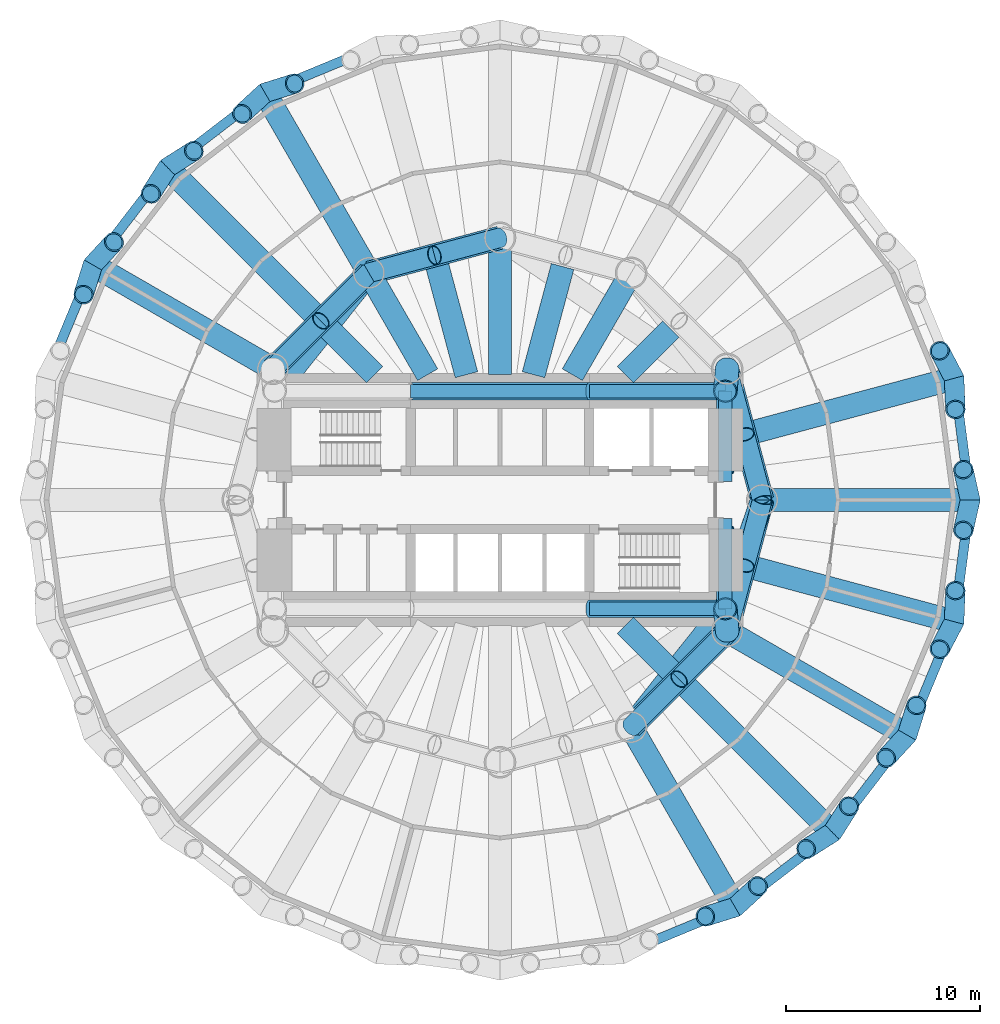
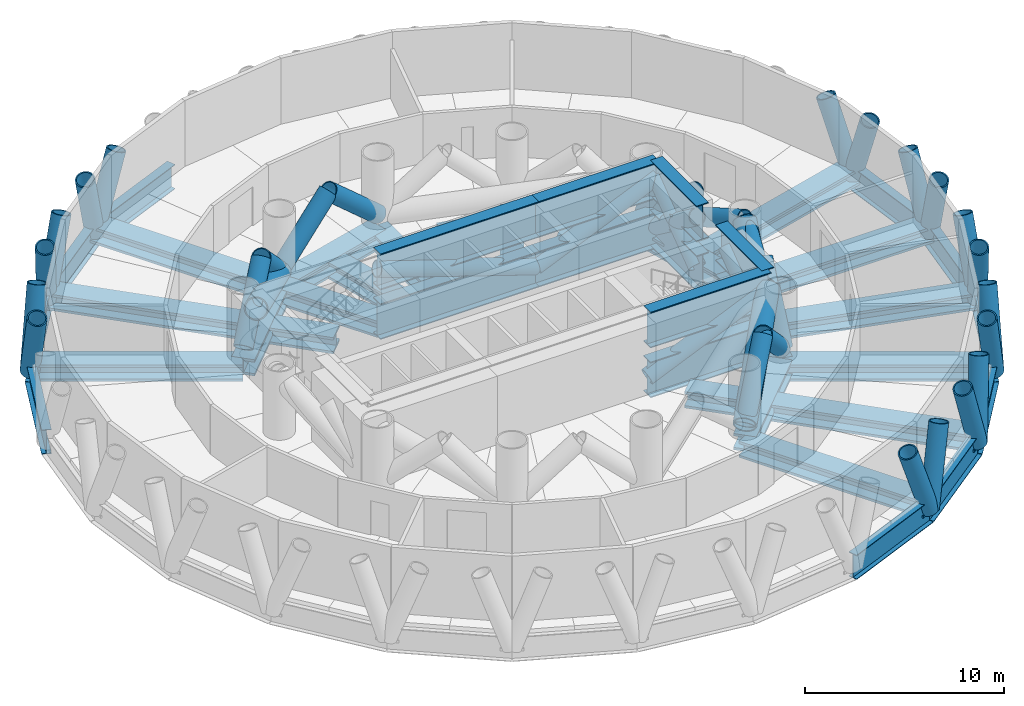
# One storey, part 2 of 6: 42 beams, 40 members.
"""IFC4 building model written with IfcOpenShell, lengths in metres."""

from ifc_helpers import new_model, si_unit, direction, frame, origin, origin_2d, place, context, subcontext, project, spatial, hollow_circle, i_section, extrude, material, material_profile, profile_set, type_object, element, save


model = new_model("IFC4")

# Units and contexts
model_context = context("Model", 3, precision=1e-05, world=origin(), true_north=direction((0.0, 1.0)))
body_context = subcontext(model_context, "Body", "Model", "MODEL_VIEW")
ifc_project = project(units=[si_unit("LENGTHUNIT", "METRE"), si_unit("AREAUNIT", "SQUARE_METRE"), si_unit("VOLUMEUNIT", "CUBIC_METRE"), si_unit("PLANEANGLEUNIT", "RADIAN"), si_unit("MASSUNIT", "GRAM", prefix="KILO")], contexts=[model_context])

# Site, building, storey
site_placement = place(None, origin())
site = spatial("IfcSite", under=ifc_project, at=site_placement, CompositionType="ELEMENT")
building_placement = place(site_placement, origin())
building = spatial("IfcBuilding", under=site, at=building_placement, Name="Qaws Media Tower", CompositionType="ELEMENT")
storey_placement = place(building_placement, frame((0.0, 0.0, 194.0)))
storey = spatial("IfcBuildingStorey", under=building, at=storey_placement, Name="L44", CompositionType="ELEMENT", Elevation=194.0)

# Members
ifc_material_1 = material(Name="Steel S355", Category="steel")
ifc_material_profile_1 = material_profile(ifc_material_1, hollow_circle(Radius=0.508056640625, WallThickness=0.050048828125, at=origin_2d()), Name="CHS 1016x50")
ifc_profile_set_1 = profile_set([ifc_material_profile_1], Name="Steel S355")
member_type_1 = type_object("IfcMemberType", Name="Belt truss diagonal CHS 1016x50", PredefinedType="BRACE", material=ifc_profile_set_1)
member_1_placement = place(storey_placement, frame((71.69140625, 56.75, 0.39990234375), z_axis=(0.236071893231, -0.881063134997, 0.409875363221), x_axis=(0.965928090778, 0.258810593767, 0.0)))
element("IfcMember", 1, at=member_1_placement, inside=storey, type_object=member_type_1, Name="BT1 belt diagonal L44 I02 to the head over I01", PredefinedType="BRACE", context=body_context, shape_type="SweptSolid", body=[
    extrude(hollow_circle(Radius=0.508056640625, WallThickness=0.050048828125, at=origin_2d()), origin(), (0.0, 0.0, 1.0), 7.6611328125),
])
for number, where, z_axis, x_axis, name in (
    (2, (71.69140625, 56.75, 0.39990234375), (0.192495823814, -0.718429338123, 0.668434472434), (0.965928090778, 0.258810593767, 0.0), "BT1 belt diagonal L44 I02 to bay I01-I02 apex"),
    (3, (60.0, 63.5, 0.39990234375), (-0.718429338123, -0.192495823814, 0.668434472434), (0.258810593767, -0.965928090778, 0.0), "BT1 belt diagonal L44 I04 to bay I04-I05 apex"),
    (4, (53.25, 61.69140625, 0.39990234375), (0.718429338123, 0.192495823814, 0.668434472434), (-0.258810593767, 0.965928090778, 0.0), "BT1 belt diagonal L44 I05 to bay I04-I05 apex"),
    (5, (53.25, 61.69140625, 0.39990234375), (-0.525929105231, -0.525929105231, 0.668428868723), (0.707106781187, -0.707106781187, 0.0), "BT1 belt diagonal L44 I05 to bay I05-I06 apex"),
    (6, (48.30859375, 56.75, 0.39990234375), (0.525929105231, 0.525929105231, 0.668428868723), (-0.707106781187, 0.707106781187, 0.0), "BT1 belt diagonal L44 I06 to bay I05-I06 apex"),
    (7, (66.75, 38.30859375, 0.39990234375), (0.525929105231, 0.525929105231, 0.668428868723), (-0.707106781187, 0.707106781187, 0.0), "BT1 belt diagonal L44 I11 to bay I11-I12 apex"),
    (8, (71.69140625, 43.25, 0.39990234375), (-0.525929105231, -0.525929105231, 0.668428868723), (0.707106781187, -0.707106781187, 0.0), "BT1 belt diagonal L44 I12 to bay I11-I12 apex"),
    (9, (71.69140625, 43.25, 0.39990234375), (0.192495823814, 0.718429338123, 0.668434472434), (-0.965928090778, 0.258810593767, 0.0), "BT1 belt diagonal L44 I12 to bay I12-I01 apex"),
):
    element("IfcMember", number, at=place(storey_placement, frame(where, z_axis=z_axis, x_axis=x_axis)), inside=storey, type_object=member_type_1, Name=name, PredefinedType="BRACE", context=body_context, shape_type="SweptSolid", body=[
        extrude(hollow_circle(Radius=0.508056640625, WallThickness=0.050048828125, at=origin_2d()), origin(), (0.0, 0.0, 1.0), 4.69775390625),
    ])
member_2_placement = place(storey_placement, frame((71.69140625, 43.25, 0.39990234375), z_axis=(0.236071893231, 0.881063134997, 0.409875363221), x_axis=(-0.965928090778, 0.258810593767, 0.0)))
element("IfcMember", 10, at=member_2_placement, inside=storey, type_object=member_type_1, Name="BT1 belt diagonal L44 I12 to the head over I01", PredefinedType="BRACE", context=body_context, shape_type="SweptSolid", body=[
    extrude(hollow_circle(Radius=0.508056640625, WallThickness=0.050048828125, at=origin_2d()), origin(), (0.0, 0.0, 1.0), 7.6611328125),
])

# Beams
ifc_material_2 = material(Name="Steel S460", Category="steel")
ifc_material_profile_2 = material_profile(ifc_material_2, i_section(OverallWidth=0.699951171875, OverallDepth=2.199951171875, WebThickness=0.028076171875, FlangeThickness=0.06005859375, at=origin_2d()), Name="PG 2200x700")
ifc_profile_set_2 = profile_set([ifc_material_profile_2], Name="Steel S460")
beam_type_1 = type_object("IfcBeamType", Name="Core outrigger truss chord PG 2200x700", PredefinedType="BEAM", material=ifc_profile_set_2)
for number, where, z_axis, x_axis, name in (
    (11, (55.39990234375, 55.60009765625, 0.39990234375), (1.0, 0.0, 0.0), (0.0, 1.0, 0.0), "CT1 core outrigger truss chord NB2 L44"),
    (12, (55.39990234375, 55.60009765625, 3.449951171875), (1.0, 0.0, 0.0), (0.0, 1.0, 0.0), "CT1 core outrigger truss chord NT2 L44"),
):
    element("IfcBeam", number, at=place(storey_placement, frame(where, z_axis=z_axis, x_axis=x_axis)), inside=storey, type_object=beam_type_1, Name=name, PredefinedType="BEAM", context=body_context, shape_type="SweptSolid", body=[
        extrude(i_section(OverallWidth=0.699951171875, OverallDepth=2.199951171875, WebThickness=0.028076171875, FlangeThickness=0.06005859375, at=origin_2d()), origin(), (0.0, 0.0, 1.0), 9.2001953125),
    ])
for number, where, z_axis, x_axis, name in (
    (13, (64.60009765625, 55.60009765625, 0.39990234375), (1.0, 0.0, 0.0), (0.0, 1.0, 0.0), "CT1 core outrigger truss chord NB3 L44"),
    (14, (64.60009765625, 55.60009765625, 3.449951171875), (1.0, 0.0, 0.0), (0.0, 1.0, 0.0), "CT1 core outrigger truss chord NT3 L44"),
    (15, (64.60009765625, 44.39990234375, 0.39990234375), (1.0, 0.0, 0.0), (0.0, 1.0, 0.0), "CT1 core outrigger truss chord SB3 L44"),
    (16, (64.60009765625, 44.39990234375, 3.449951171875), (1.0, 0.0, 0.0), (0.0, 1.0, 0.0), "CT1 core outrigger truss chord ST3 L44"),
):
    element("IfcBeam", number, at=place(storey_placement, frame(where, z_axis=z_axis, x_axis=x_axis)), inside=storey, type_object=beam_type_1, Name=name, PredefinedType="BEAM", context=body_context, shape_type="SweptSolid", body=[
        extrude(i_section(OverallWidth=0.699951171875, OverallDepth=2.199951171875, WebThickness=0.028076171875, FlangeThickness=0.06005859375, at=origin_2d()), origin(), (0.0, 0.0, 1.0), 7.0),
    ])
for number, where, z_axis, x_axis, name in (
    (17, (71.60009765625, 44.39990234375, 0.39990234375), (0.0, 1.0, 0.0), (-1.0, 0.0, 0.0), "CT1 core outrigger truss chord EB1 L44"),
    (18, (71.60009765625, 44.39990234375, 3.449951171875), (0.0, 1.0, 0.0), (-1.0, 0.0, 0.0), "CT1 core outrigger truss chord ET1 L44"),
    (19, (71.60009765625, 50.949951171875, 0.39990234375), (0.0, 1.0, 0.0), (-1.0, 0.0, 0.0), "CT1 core outrigger truss chord EB3 L44"),
    (20, (71.60009765625, 50.949951171875, 3.449951171875), (0.0, 1.0, 0.0), (-1.0, 0.0, 0.0), "CT1 core outrigger truss chord ET3 L44"),
):
    element("IfcBeam", number, at=place(storey_placement, frame(where, z_axis=z_axis, x_axis=x_axis)), inside=storey, type_object=beam_type_1, Name=name, PredefinedType="BEAM", context=body_context, shape_type="SweptSolid", body=[
        extrude(i_section(OverallWidth=0.699951171875, OverallDepth=2.199951171875, WebThickness=0.028076171875, FlangeThickness=0.06005859375, at=origin_2d()), origin(), (0.0, 0.0, 1.0), 4.650146484375),
    ])

# Members
ifc_material_3 = material(Name="Steel S460", Category="steel")
ifc_material_profile_3 = material_profile(ifc_material_3, hollow_circle(Radius=0.45703125, WallThickness=0.044921875, at=origin_2d()), Name="CHS 914x45")
ifc_profile_set_3 = profile_set([ifc_material_profile_3], Name="Steel S460")
member_type_2 = type_object("IfcMemberType", Name="Core outrigger truss diagonal CHS 914x45", PredefinedType="BRACE", material=ifc_profile_set_3)
member_3_placement = place(storey_placement, frame((64.60009765625, 55.60009765625, 0.39990234375), z_axis=(-0.949198394825, 0.0, 0.314678259913), x_axis=(0.0, -1.0, 0.0)))
element("IfcMember", 21, at=member_3_placement, inside=storey, type_object=member_type_2, Name="CT2 core outrigger truss diagonal N2 L44", PredefinedType="BRACE", context=body_context, shape_type="SweptSolid", body=[
    extrude(hollow_circle(Radius=0.45703125, WallThickness=0.044921875, at=origin_2d()), origin(), (0.0, 0.0, 1.0), 9.692626953125),
])
for number, where, z_axis, x_axis, name in (
    (22, (64.60009765625, 55.60009765625, 0.39990234375), (0.916755115174, 0.0, 0.399449694959), (0.0, 1.0, 0.0), "CT2 core outrigger truss diagonal N3 L44"),
    (23, (64.60009765625, 44.39990234375, 0.39990234375), (0.916755115174, 0.0, 0.399449694959), (0.0, 1.0, 0.0), "CT2 core outrigger truss diagonal S3 L44"),
):
    element("IfcMember", number, at=place(storey_placement, frame(where, z_axis=z_axis, x_axis=x_axis)), inside=storey, type_object=member_type_2, Name=name, PredefinedType="BRACE", context=body_context, shape_type="SweptSolid", body=[
        extrude(hollow_circle(Radius=0.45703125, WallThickness=0.044921875, at=origin_2d()), origin(), (0.0, 0.0, 1.0), 7.6357421875),
    ])
for number, where, z_axis, x_axis, name in (
    (24, (71.60009765625, 44.39990234375, 0.39990234375), (0.0, 0.802344423369, 0.596861312442), (-1.0, 0.0, 0.0), "CT2 core outrigger truss diagonal E1 L44"),
    (25, (71.60009765625, 48.5, 0.39990234375), (0.0, -0.802344423369, 0.596861312442), (1.0, 0.0, 0.0), "CT2 core outrigger truss diagonal E1b L44"),
    (26, (71.60009765625, 51.5, 0.39990234375), (0.0, 0.802344423369, 0.596861312442), (-1.0, 0.0, 0.0), "CT2 core outrigger truss diagonal E3 L44"),
    (27, (71.60009765625, 55.60009765625, 0.39990234375), (0.0, -0.802344423369, 0.596861312442), (1.0, 0.0, 0.0), "CT2 core outrigger truss diagonal E3b L44"),
):
    element("IfcMember", number, at=place(storey_placement, frame(where, z_axis=z_axis, x_axis=x_axis)), inside=storey, type_object=member_type_2, Name=name, PredefinedType="BRACE", context=body_context, shape_type="SweptSolid", body=[
        extrude(hollow_circle(Radius=0.45703125, WallThickness=0.044921875, at=origin_2d()), origin(), (0.0, 0.0, 1.0), 5.110107421875),
    ])
ifc_material_4 = material(Name="Steel S460", Category="steel")
ifc_material_profile_4 = material_profile(ifc_material_4, hollow_circle(Radius=0.508056640625, WallThickness=0.070068359375, at=origin_2d()), Name="CHS 1016x70")
ifc_profile_set_4 = profile_set([ifc_material_profile_4], Name="Steel S460")
member_type_3 = type_object("IfcMemberType", Name="Diagrid member CHS 1016x70", PredefinedType="USERDEFINED", material=ifc_profile_set_4)
for number, where, z_axis, x_axis, name in (
    (28, (84.199951171875, 50.0, -1.0), (-0.076662926383, 0.341357939939, 0.936801768017), (-0.975696974085, -0.219124199396, 0.0), "DG3 diagrid L44 A01"),
    (29, (84.199951171875, 50.0, -1.0), (-0.076662926383, -0.341357939939, 0.936801768017), (0.975696974085, -0.219124199396, 0.0), "DG3 diagrid L44 B01"),
    (30, (83.37548828125, 56.263427734375, -1.0), (-0.162442860207, 0.309851625704, 0.936805362504), (-0.885667434492, -0.464320143307, 0.0), "DG3 diagrid L44 A02"),
    (31, (83.37548828125, 56.263427734375, -1.0), (0.014234368667, -0.349568372086, 0.936802719886), (0.999171976829, 0.040686124419, 0.0), "DG3 diagrid L44 B02"),
    (32, (47.89990234375, 70.957763671875, -1.0), (-0.257234896643, -0.237082608367, 0.936814840168), (0.677716564176, -0.735323234124, 0.0), "DG3 diagrid L44 A09"),
    (33, (47.89990234375, 70.957763671875, -1.0), (0.333948789661, 0.104279028189, 0.936805257331), (-0.298066743437, 0.954545031131, 0.0), "DG3 diagrid L44 B09"),
    (34, (42.887939453125, 67.112060546875, -1.0), (-0.187125548091, -0.295615716286, 0.936800607139), (0.844945330191, -0.534852679706, 0.0), "DG3 diagrid L44 A10"),
    (35, (42.887939453125, 67.112060546875, -1.0), (0.295615716286, 0.187125548091, 0.936800607139), (-0.534852679706, 0.844945330191, 0.0), "DG3 diagrid L44 B10"),
    (36, (39.042236328125, 62.10009765625, -1.0), (-0.104279028189, -0.333948789661, 0.936805257331), (0.954545031131, -0.298066743437, 0.0), "DG3 diagrid L44 A11"),
    (37, (39.042236328125, 62.10009765625, -1.0), (0.237082608367, 0.257234896643, 0.936814840168), (-0.735323234124, 0.677716564176, 0.0), "DG3 diagrid L44 B11"),
    (38, (72.10009765625, 29.042236328125, -1.0), (0.257234896643, 0.237082608367, 0.936814840168), (-0.677716564176, 0.735323234124, 0.0), "DG3 diagrid L44 A21"),
    (39, (72.10009765625, 29.042236328125, -1.0), (-0.333948789661, -0.104279028189, 0.936805257331), (0.298066743437, -0.954545031131, 0.0), "DG3 diagrid L44 B21"),
    (40, (77.112060546875, 32.887939453125, -1.0), (0.187125548091, 0.295615716286, 0.936800607139), (-0.844945330191, 0.534852679706, 0.0), "DG3 diagrid L44 A22"),
    (41, (77.112060546875, 32.887939453125, -1.0), (-0.295615716286, -0.187125548091, 0.936800607139), (0.534852679706, -0.844945330191, 0.0), "DG3 diagrid L44 B22"),
    (42, (80.957763671875, 37.89990234375, -1.0), (0.104279028189, 0.333948789661, 0.936805257331), (-0.954545031131, 0.298066743437, 0.0), "DG3 diagrid L44 A23"),
    (43, (80.957763671875, 37.89990234375, -1.0), (-0.237082608367, -0.257234896643, 0.936814840168), (0.735323234124, -0.677716564176, 0.0), "DG3 diagrid L44 B23"),
    (44, (83.37548828125, 43.736572265625, -1.0), (0.014234368667, 0.349568372086, 0.936802719886), (-0.999171976829, 0.040686124419, 0.0), "DG3 diagrid L44 A24"),
    (45, (83.37548828125, 43.736572265625, -1.0), (-0.162442860207, -0.309851625704, 0.936805362504), (0.885667434492, -0.464320143307, 0.0), "DG3 diagrid L44 B24"),
):
    element("IfcMember", number, at=place(storey_placement, frame(where, z_axis=z_axis, x_axis=x_axis)), inside=storey, type_object=member_type_3, Name=name, ObjectType="DIAGRID", PredefinedType="USERDEFINED", context=body_context, shape_type="SweptSolid", body=[
        extrude(hollow_circle(Radius=0.508056640625, WallThickness=0.070068359375, at=origin_2d()), origin(), (0.0, 0.0, 1.0), 4.579345703125),
    ])

# Beams
ifc_material_5 = material(Name="Steel S460", Category="steel")
ifc_material_profile_5 = material_profile(ifc_material_5, i_section(OverallWidth=0.5, OverallDepth=1.5, WebThickness=0.02001953125, FlangeThickness=0.0400390625, at=origin_2d()), Name="PG 1500x500")
ifc_profile_set_5 = profile_set([ifc_material_profile_5], Name="Steel S460")
beam_type_2 = type_object("IfcBeamType", Name="Edge ring beam PG 1500x500", PredefinedType="BEAM", material=ifc_profile_set_5)
beam_1_placement = place(storey_placement, frame((84.199951171875, 50.0, -1.0), z_axis=(-0.130505495907, 0.991447585875, 0.0), x_axis=(-0.991447585875, -0.130505495907, 0.0)))
element("IfcBeam", 46, at=beam_1_placement, inside=storey, type_object=beam_type_2, Name="RB4 edge ring beam L44-01", PredefinedType="BEAM", context=body_context, shape_type="SweptSolid", body=[
    extrude(i_section(OverallWidth=0.5, OverallDepth=1.5, WebThickness=0.02001953125, FlangeThickness=0.0400390625, at=origin_2d()), origin(), (0.0, 0.0, 1.0), 6.3173828125),
])
beam_2_placement = place(storey_placement, frame((53.736572265625, 73.37548828125, -1.0), z_axis=(-0.923874116934, -0.382696506463, 0.0), x_axis=(0.382696506463, -0.923874116934, 0.0)))
element("IfcBeam", 47, at=beam_2_placement, inside=storey, type_object=beam_type_2, Name="RB4 edge ring beam L44-08", PredefinedType="BEAM", context=body_context, shape_type="SweptSolid", body=[
    extrude(i_section(OverallWidth=0.5, OverallDepth=1.5, WebThickness=0.02001953125, FlangeThickness=0.0400390625, at=origin_2d()), origin(), (0.0, 0.0, 1.0), 6.317626953125),
])
for number, where, z_axis, x_axis, name in (
    (48, (47.89990234375, 70.957763671875, -1.0), (-0.793361846321, -0.608750343575, 0.0), (0.608750343575, -0.793361846321, 0.0), "RB4 edge ring beam L44-09"),
    (49, (42.887939453125, 67.112060546875, -1.0), (-0.608750343575, -0.793361846321, 0.0), (0.793361846321, -0.608750343575, 0.0), "RB4 edge ring beam L44-10"),
):
    element("IfcBeam", number, at=place(storey_placement, frame(where, z_axis=z_axis, x_axis=x_axis)), inside=storey, type_object=beam_type_2, Name=name, PredefinedType="BEAM", context=body_context, shape_type="SweptSolid", body=[
        extrude(i_section(OverallWidth=0.5, OverallDepth=1.5, WebThickness=0.02001953125, FlangeThickness=0.0400390625, at=origin_2d()), origin(), (0.0, 0.0, 1.0), 6.3173828125),
    ])
for number, where, z_axis, x_axis, name in (
    (50, (39.042236328125, 62.10009765625, -1.0), (-0.382696506463, -0.923874116934, 0.0), (0.923874116934, -0.382696506463, 0.0), "RB4 edge ring beam L44-11"),
    (51, (66.263427734375, 26.62451171875, -1.0), (0.923874116934, 0.382696506463, 0.0), (-0.382696506463, 0.923874116934, 0.0), "RB4 edge ring beam L44-20"),
):
    element("IfcBeam", number, at=place(storey_placement, frame(where, z_axis=z_axis, x_axis=x_axis)), inside=storey, type_object=beam_type_2, Name=name, PredefinedType="BEAM", context=body_context, shape_type="SweptSolid", body=[
        extrude(i_section(OverallWidth=0.5, OverallDepth=1.5, WebThickness=0.02001953125, FlangeThickness=0.0400390625, at=origin_2d()), origin(), (0.0, 0.0, 1.0), 6.317626953125),
    ])
for number, where, z_axis, x_axis, name in (
    (52, (72.10009765625, 29.042236328125, -1.0), (0.793361846321, 0.608750343575, 0.0), (-0.608750343575, 0.793361846321, 0.0), "RB4 edge ring beam L44-21"),
    (53, (77.112060546875, 32.887939453125, -1.0), (0.608750343575, 0.793361846321, 0.0), (-0.793361846321, 0.608750343575, 0.0), "RB4 edge ring beam L44-22"),
):
    element("IfcBeam", number, at=place(storey_placement, frame(where, z_axis=z_axis, x_axis=x_axis)), inside=storey, type_object=beam_type_2, Name=name, PredefinedType="BEAM", context=body_context, shape_type="SweptSolid", body=[
        extrude(i_section(OverallWidth=0.5, OverallDepth=1.5, WebThickness=0.02001953125, FlangeThickness=0.0400390625, at=origin_2d()), origin(), (0.0, 0.0, 1.0), 6.3173828125),
    ])
beam_3_placement = place(storey_placement, frame((80.957763671875, 37.89990234375, -1.0), z_axis=(0.382696506463, 0.923874116934, 0.0), x_axis=(-0.923874116934, 0.382696506463, 0.0)))
element("IfcBeam", 54, at=beam_3_placement, inside=storey, type_object=beam_type_2, Name="RB4 edge ring beam L44-23", PredefinedType="BEAM", context=body_context, shape_type="SweptSolid", body=[
    extrude(i_section(OverallWidth=0.5, OverallDepth=1.5, WebThickness=0.02001953125, FlangeThickness=0.0400390625, at=origin_2d()), origin(), (0.0, 0.0, 1.0), 6.317626953125),
])
beam_4_placement = place(storey_placement, frame((83.37548828125, 43.736572265625, -1.0), z_axis=(0.130505495907, 0.991447585875, 0.0), x_axis=(-0.991447585875, 0.130505495907, 0.0)))
element("IfcBeam", 55, at=beam_4_placement, inside=storey, type_object=beam_type_2, Name="RB4 edge ring beam L44-24", PredefinedType="BEAM", context=body_context, shape_type="SweptSolid", body=[
    extrude(i_section(OverallWidth=0.5, OverallDepth=1.5, WebThickness=0.02001953125, FlangeThickness=0.0400390625, at=origin_2d()), origin(), (0.0, 0.0, 1.0), 6.3173828125),
])
ifc_material_6 = material(Name="Steel S460", Category="steel")
ifc_material_profile_6 = material_profile(ifc_material_6, i_section(OverallWidth=1.199951171875, OverallDepth=1.0, WebThickness=0.06005859375, FlangeThickness=0.14990234375, at=origin_2d()), Name="PG 1000x1200")
ifc_profile_set_6 = profile_set([ifc_material_profile_6], Name="Steel S460")
beam_type_3 = type_object("IfcBeamType", Name="Inner ring girder PG 1000x1200", PredefinedType="BEAM", material=ifc_profile_set_6)
for number, where, z_axis, x_axis, name in (
    (56, (73.5, 50.0, -0.75), (-0.258810593767, 0.965928090778, 0.0), (-0.965928090778, -0.258810593767, 0.0), "B3 inner ring beam L44 I01-I02"),
    (57, (60.0, 63.5, -0.75), (-0.965928090778, -0.258810593767, 0.0), (0.258810593767, -0.965928090778, 0.0), "B3 inner ring beam L44 I04-I05"),
):
    element("IfcBeam", number, at=place(storey_placement, frame(where, z_axis=z_axis, x_axis=x_axis)), inside=storey, type_object=beam_type_3, Name=name, PredefinedType="BEAM", context=body_context, shape_type="SweptSolid", body=[
        extrude(i_section(OverallWidth=1.199951171875, OverallDepth=1.0, WebThickness=0.06005859375, FlangeThickness=0.14990234375, at=origin_2d()), origin(), (0.0, 0.0, 1.0), 6.988037109375),
    ])
for number, where, z_axis, x_axis, name in (
    (58, (53.25, 61.69140625, -0.75), (-0.707106781187, -0.707106781187, 0.0), (0.707106781187, -0.707106781187, 0.0), "B3 inner ring beam L44 I05-I06"),
    (59, (66.75, 38.30859375, -0.75), (0.707106781187, 0.707106781187, 0.0), (-0.707106781187, 0.707106781187, 0.0), "B3 inner ring beam L44 I11-I12"),
):
    element("IfcBeam", number, at=place(storey_placement, frame(where, z_axis=z_axis, x_axis=x_axis)), inside=storey, type_object=beam_type_3, Name=name, PredefinedType="BEAM", context=body_context, shape_type="SweptSolid", body=[
        extrude(i_section(OverallWidth=1.199951171875, OverallDepth=1.0, WebThickness=0.06005859375, FlangeThickness=0.14990234375, at=origin_2d()), origin(), (0.0, 0.0, 1.0), 6.98828125),
    ])
beam_5_placement = place(storey_placement, frame((71.69140625, 43.25, -0.75), z_axis=(0.258810593767, 0.965928090778, 0.0), x_axis=(-0.965928090778, 0.258810593767, 0.0)))
element("IfcBeam", 60, at=beam_5_placement, inside=storey, type_object=beam_type_3, Name="B3 inner ring beam L44 I12-I01", PredefinedType="BEAM", context=body_context, shape_type="SweptSolid", body=[
    extrude(i_section(OverallWidth=1.199951171875, OverallDepth=1.0, WebThickness=0.06005859375, FlangeThickness=0.14990234375, at=origin_2d()), origin(), (0.0, 0.0, 1.0), 6.988037109375),
])

# Members
ifc_material_7 = material(Name="Steel S355", Category="steel")
ifc_material_profile_7 = material_profile(ifc_material_7, hollow_circle(Radius=0.609619140625, WallThickness=0.06005859375, at=origin_2d()), Name="CHS 1219x60")
ifc_profile_set_7 = profile_set([ifc_material_profile_7], Name="Steel S355")
member_type_4 = type_object("IfcMemberType", Name="Outrigger diagonal CHS 1219x60", PredefinedType="BRACE", material=ifc_profile_set_7)
member_4_placement = place(storey_placement, frame((71.60009765625, 44.39990234375, 0.39990234375), z_axis=(0.28553493389, 0.841634581543, 0.458389607953), x_axis=(-0.946985429362, 0.321276511086, 0.0)))
element("IfcMember", 61, at=member_4_placement, inside=storey, type_object=member_type_4, Name="OT1 outrigger diagonal L44 I01", PredefinedType="BRACE", context=body_context, shape_type="SweptSolid", body=[
    extrude(hollow_circle(Radius=0.609619140625, WallThickness=0.06005859375, at=origin_2d()), origin(), (0.0, 0.0, 1.0), 6.65380859375),
])
member_5_placement = place(storey_placement, frame((71.60009765625, 55.60009765625, 3.449951171875), z_axis=(0.028001117497, 0.352634394142, -0.935342141404), x_axis=(-0.996862212282, 0.079156362504, 0.0)))
element("IfcMember", 62, at=member_5_placement, inside=storey, type_object=member_type_4, Name="OT1 outrigger diagonal L44 I02", PredefinedType="BRACE", context=body_context, shape_type="SweptSolid", body=[
    extrude(hollow_circle(Radius=0.609619140625, WallThickness=0.06005859375, at=origin_2d()), origin(), (0.0, 0.0, 1.0), 3.260986328125),
])
for number, where, z_axis, x_axis, name in (
    (63, (48.39990234375, 55.60009765625, 3.449951171875), (0.579986430027, 0.728413441517, -0.364732229454), (-0.782304477714, 0.622896222616, 0.0), "OT1 outrigger diagonal L44 I05"),
    (64, (71.60009765625, 44.39990234375, 3.449951171875), (-0.579986430027, -0.728413441517, -0.364732229454), (0.782304477714, -0.622896222616, 0.0), "OT1 outrigger diagonal L44 I11"),
):
    element("IfcMember", number, at=place(storey_placement, frame(where, z_axis=z_axis, x_axis=x_axis)), inside=storey, type_object=member_type_4, Name=name, PredefinedType="BRACE", context=body_context, shape_type="SweptSolid", body=[
        extrude(hollow_circle(Radius=0.609619140625, WallThickness=0.06005859375, at=origin_2d()), origin(), (0.0, 0.0, 1.0), 8.362548828125),
    ])
member_6_placement = place(storey_placement, frame((71.60009765625, 44.39990234375, 3.449951171875), z_axis=(0.028001117497, -0.352634394142, -0.935342141404), x_axis=(0.996862212282, 0.079156362504, 0.0)))
element("IfcMember", 65, at=member_6_placement, inside=storey, type_object=member_type_4, Name="OT1 outrigger diagonal L44 I12", PredefinedType="BRACE", context=body_context, shape_type="SweptSolid", body=[
    extrude(hollow_circle(Radius=0.609619140625, WallThickness=0.06005859375, at=origin_2d()), origin(), (0.0, 0.0, 1.0), 3.260986328125),
])

# Beams
ifc_material_8 = material(Name="Steel S355", Category="steel")
ifc_material_profile_8 = material_profile(ifc_material_8, i_section(OverallWidth=1.199951171875, OverallDepth=1.0, WebThickness=0.06005859375, FlangeThickness=0.14990234375, at=origin_2d()), Name="PG 1000x1200")
ifc_profile_set_8 = profile_set([ifc_material_profile_8], Name="Steel S355")
beam_type_4 = type_object("IfcBeamType", Name="Plant floor beam PG 1000x1200", PredefinedType="BEAM", material=ifc_profile_set_8)
beam_6_placement = place(storey_placement, frame((73.5, 50.0, -0.75), z_axis=(1.0, 0.0, 0.0), x_axis=(0.0, 1.0, 0.0)))
element("IfcBeam", 66, at=beam_6_placement, inside=storey, type_object=beam_type_4, Name="B1 radial beam L44 01", PredefinedType="BEAM", context=body_context, shape_type="SweptSolid", body=[
    extrude(i_section(OverallWidth=1.199951171875, OverallDepth=1.0, WebThickness=0.06005859375, FlangeThickness=0.14990234375, at=origin_2d()), origin(), (0.0, 0.0, 1.0), 10.699951171875),
])
beam_7_placement = place(storey_placement, frame((73.17529296875, 53.5302734375, -0.75), z_axis=(0.965925348063, 0.25882082986, 0.0), x_axis=(-0.25882082986, 0.965925348063, 0.0)))
element("IfcBeam", 67, at=beam_7_placement, inside=storey, type_object=beam_type_4, Name="B1 radial beam L44 02", PredefinedType="BEAM", context=body_context, shape_type="SweptSolid", body=[
    extrude(i_section(OverallWidth=1.199951171875, OverallDepth=1.0, WebThickness=0.06005859375, FlangeThickness=0.14990234375, at=origin_2d()), origin(), (0.0, 0.0, 1.0), 10.56005859375),
])
beam_8_placement = place(storey_placement, frame((66.449951171875, 56.449951171875, -0.75), z_axis=(0.707106781187, 0.707106781187, 0.0), x_axis=(-0.707106781187, 0.707106781187, 0.0)))
element("IfcBeam", 68, at=beam_8_placement, inside=storey, type_object=beam_type_4, Name="B6 radial beam L44 04", PredefinedType="BEAM", context=body_context, shape_type="SweptSolid", body=[
    extrude(i_section(OverallWidth=1.199951171875, OverallDepth=1.0, WebThickness=0.06005859375, FlangeThickness=0.14990234375, at=origin_2d()), origin(), (0.0, 0.0, 1.0), 3.318359375),
])
beam_9_placement = place(storey_placement, frame((63.723876953125, 56.449951171875, -0.75), z_axis=(0.499995978368, 0.866027725662, 0.0), x_axis=(-0.866027725662, 0.499995978368, 0.0)))
element("IfcBeam", 69, at=beam_9_placement, inside=storey, type_object=beam_type_4, Name="B6 radial beam L44 05", PredefinedType="BEAM", context=body_context, shape_type="SweptSolid", body=[
    extrude(i_section(OverallWidth=1.199951171875, OverallDepth=1.0, WebThickness=0.06005859375, FlangeThickness=0.14990234375, at=origin_2d()), origin(), (0.0, 0.0, 1.0), 6.05224609375),
])
beam_10_placement = place(storey_placement, frame((61.728271484375, 56.449951171875, -0.75), z_axis=(0.258820087155, 0.965925547071, 0.0), x_axis=(-0.965925547071, 0.258820087155, 0.0)))
element("IfcBeam", 70, at=beam_10_placement, inside=storey, type_object=beam_type_4, Name="B6 radial beam L44 06", PredefinedType="BEAM", context=body_context, shape_type="SweptSolid", body=[
    extrude(i_section(OverallWidth=1.199951171875, OverallDepth=1.0, WebThickness=0.06005859375, FlangeThickness=0.14990234375, at=origin_2d()), origin(), (0.0, 0.0, 1.0), 5.762451171875),
])
beam_11_placement = place(storey_placement, frame((60.0, 56.449951171875, -0.75), z_axis=(0.0, 1.0, 0.0), x_axis=(-1.0, 0.0, 0.0)))
element("IfcBeam", 71, at=beam_11_placement, inside=storey, type_object=beam_type_4, Name="B6 radial beam L44 07", PredefinedType="BEAM", context=body_context, shape_type="SweptSolid", body=[
    extrude(i_section(OverallWidth=1.199951171875, OverallDepth=1.0, WebThickness=0.06005859375, FlangeThickness=0.14990234375, at=origin_2d()), origin(), (0.0, 0.0, 1.0), 7.050048828125),
])
beam_12_placement = place(storey_placement, frame((58.271728515625, 56.449951171875, -0.75), z_axis=(-0.258820087155, 0.965925547071, 0.0), x_axis=(-0.965925547071, -0.258820087155, 0.0)))
element("IfcBeam", 72, at=beam_12_placement, inside=storey, type_object=beam_type_4, Name="B6 radial beam L44 08", PredefinedType="BEAM", context=body_context, shape_type="SweptSolid", body=[
    extrude(i_section(OverallWidth=1.199951171875, OverallDepth=1.0, WebThickness=0.06005859375, FlangeThickness=0.14990234375, at=origin_2d()), origin(), (0.0, 0.0, 1.0), 5.762451171875),
])
beam_13_placement = place(storey_placement, frame((53.25, 61.69140625, -0.75), z_axis=(-0.500011474612, 0.866018778813, 0.0), x_axis=(-0.866018778813, -0.500011474612, 0.0)))
element("IfcBeam", 73, at=beam_13_placement, inside=storey, type_object=beam_type_4, Name="B1 radial beam L44 09", PredefinedType="BEAM", context=body_context, shape_type="SweptSolid", body=[
    extrude(i_section(OverallWidth=1.199951171875, OverallDepth=1.0, WebThickness=0.06005859375, FlangeThickness=0.14990234375, at=origin_2d()), origin(), (0.0, 0.0, 1.0), 10.699951171875),
])
beam_14_placement = place(storey_placement, frame((56.276123046875, 56.449951171875, -0.75), z_axis=(-0.499995978368, 0.866027725662, 0.0), x_axis=(-0.866027725662, -0.499995978368, 0.0)))
element("IfcBeam", 74, at=beam_14_placement, inside=storey, type_object=beam_type_4, Name="B6 radial beam L44 09", PredefinedType="BEAM", context=body_context, shape_type="SweptSolid", body=[
    extrude(i_section(OverallWidth=1.199951171875, OverallDepth=1.0, WebThickness=0.06005859375, FlangeThickness=0.14990234375, at=origin_2d()), origin(), (0.0, 0.0, 1.0), 6.05224609375),
])
beam_15_placement = place(storey_placement, frame((50.35498046875, 59.64501953125, -0.75), z_axis=(-0.707106781187, 0.707106781187, 0.0), x_axis=(-0.707106781187, -0.707106781187, 0.0)))
element("IfcBeam", 75, at=beam_15_placement, inside=storey, type_object=beam_type_4, Name="B1 radial beam L44 10", PredefinedType="BEAM", context=body_context, shape_type="SweptSolid", body=[
    extrude(i_section(OverallWidth=1.199951171875, OverallDepth=1.0, WebThickness=0.06005859375, FlangeThickness=0.14990234375, at=origin_2d()), origin(), (0.0, 0.0, 1.0), 10.56005859375),
])
beam_16_placement = place(storey_placement, frame((53.550048828125, 56.449951171875, -0.75), z_axis=(-0.707106781187, 0.707106781187, 0.0), x_axis=(-0.707106781187, -0.707106781187, 0.0)))
element("IfcBeam", 76, at=beam_16_placement, inside=storey, type_object=beam_type_4, Name="B6 radial beam L44 10", PredefinedType="BEAM", context=body_context, shape_type="SweptSolid", body=[
    extrude(i_section(OverallWidth=1.199951171875, OverallDepth=1.0, WebThickness=0.06005859375, FlangeThickness=0.14990234375, at=origin_2d()), origin(), (0.0, 0.0, 1.0), 3.318359375),
])
for number, where, z_axis, x_axis, name in (
    (77, (48.30859375, 56.75, -0.75), (-0.866018778813, 0.500011474612, 0.0), (-0.500011474612, -0.866018778813, 0.0), "B1 radial beam L44 11"),
    (78, (66.75, 38.30859375, -0.75), (0.500011474612, -0.866018778813, 0.0), (0.866018778813, 0.500011474612, 0.0), "B1 radial beam L44 21"),
):
    element("IfcBeam", number, at=place(storey_placement, frame(where, z_axis=z_axis, x_axis=x_axis)), inside=storey, type_object=beam_type_4, Name=name, PredefinedType="BEAM", context=body_context, shape_type="SweptSolid", body=[
        extrude(i_section(OverallWidth=1.199951171875, OverallDepth=1.0, WebThickness=0.06005859375, FlangeThickness=0.14990234375, at=origin_2d()), origin(), (0.0, 0.0, 1.0), 10.699951171875),
    ])
beam_17_placement = place(storey_placement, frame((69.64501953125, 40.35498046875, -0.75), z_axis=(0.707106781187, -0.707106781187, 0.0), x_axis=(0.707106781187, 0.707106781187, 0.0)))
element("IfcBeam", 79, at=beam_17_placement, inside=storey, type_object=beam_type_4, Name="B1 radial beam L44 22", PredefinedType="BEAM", context=body_context, shape_type="SweptSolid", body=[
    extrude(i_section(OverallWidth=1.199951171875, OverallDepth=1.0, WebThickness=0.06005859375, FlangeThickness=0.14990234375, at=origin_2d()), origin(), (0.0, 0.0, 1.0), 10.56005859375),
])
beam_18_placement = place(storey_placement, frame((66.449951171875, 43.550048828125, -0.75), z_axis=(0.707106781187, -0.707106781187, 0.0), x_axis=(0.707106781187, 0.707106781187, 0.0)))
element("IfcBeam", 80, at=beam_18_placement, inside=storey, type_object=beam_type_4, Name="B6 radial beam L44 22", PredefinedType="BEAM", context=body_context, shape_type="SweptSolid", body=[
    extrude(i_section(OverallWidth=1.199951171875, OverallDepth=1.0, WebThickness=0.06005859375, FlangeThickness=0.14990234375, at=origin_2d()), origin(), (0.0, 0.0, 1.0), 3.318359375),
])
beam_19_placement = place(storey_placement, frame((71.69140625, 43.25, -0.75), z_axis=(0.866018778813, -0.500011474612, 0.0), x_axis=(0.500011474612, 0.866018778813, 0.0)))
element("IfcBeam", 81, at=beam_19_placement, inside=storey, type_object=beam_type_4, Name="B1 radial beam L44 23", PredefinedType="BEAM", context=body_context, shape_type="SweptSolid", body=[
    extrude(i_section(OverallWidth=1.199951171875, OverallDepth=1.0, WebThickness=0.06005859375, FlangeThickness=0.14990234375, at=origin_2d()), origin(), (0.0, 0.0, 1.0), 10.699951171875),
])
beam_20_placement = place(storey_placement, frame((73.17529296875, 46.4697265625, -0.75), z_axis=(0.965925348063, -0.25882082986, 0.0), x_axis=(0.25882082986, 0.965925348063, 0.0)))
element("IfcBeam", 82, at=beam_20_placement, inside=storey, type_object=beam_type_4, Name="B1 radial beam L44 24", PredefinedType="BEAM", context=body_context, shape_type="SweptSolid", body=[
    extrude(i_section(OverallWidth=1.199951171875, OverallDepth=1.0, WebThickness=0.06005859375, FlangeThickness=0.14990234375, at=origin_2d()), origin(), (0.0, 0.0, 1.0), 10.56005859375),
])

save(model, "model.ifc")
